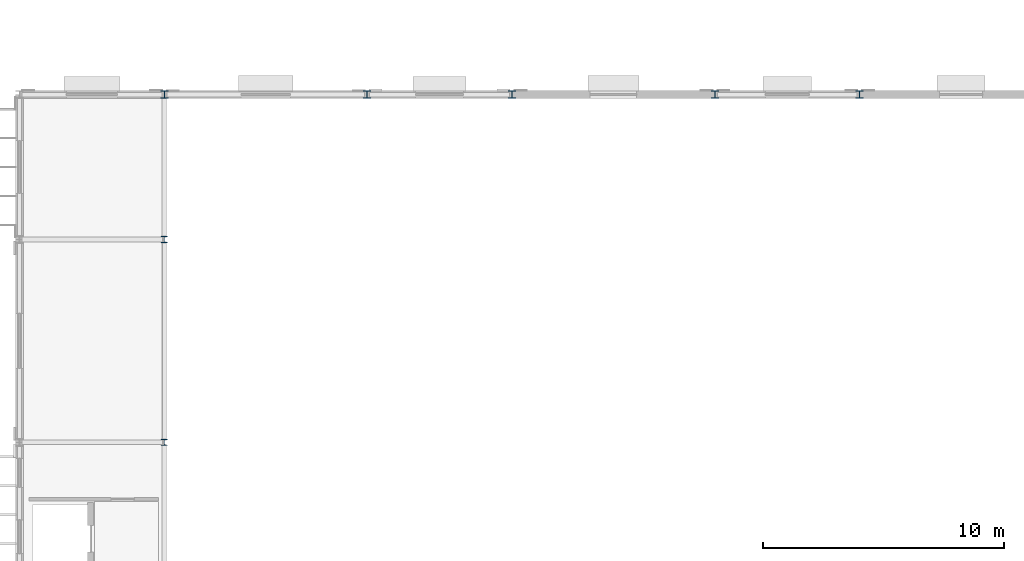
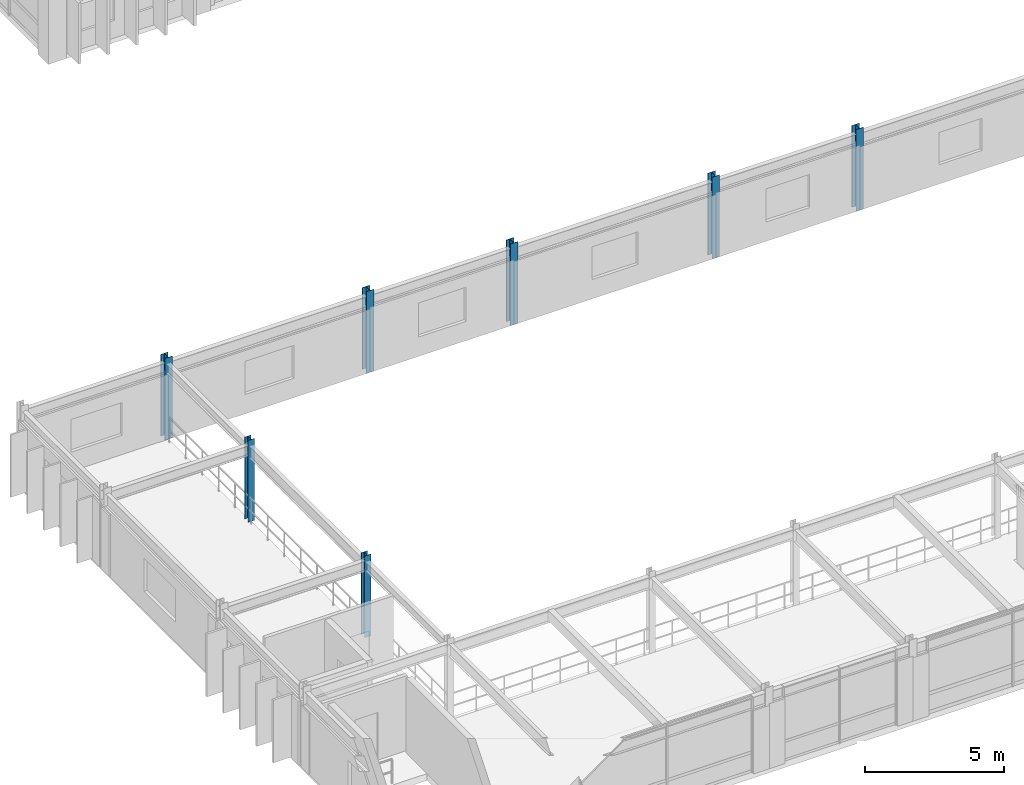
# One storey, part 9 of 88: 7 columns.
"""IFC4 building model written with IfcOpenShell, lengths in metres."""

from ifc_helpers import new_model, si_unit, direction, frame, origin, origin_2d, place, context, subcontext, project, spatial, i_section, extrude, material, material_profile, profile_set, type_object, element, save


model = new_model("IFC4")

# Units and contexts
model_context = context("Model", 3, precision=1e-05, world=origin(), true_north=direction((0.0, 1.0)))
body_context = subcontext(model_context, "Body", "Model", "MODEL_VIEW")
ifc_project = project(units=[si_unit("LENGTHUNIT", "METRE"), si_unit("AREAUNIT", "SQUARE_METRE"), si_unit("VOLUMEUNIT", "CUBIC_METRE"), si_unit("PLANEANGLEUNIT", "RADIAN"), si_unit("MASSUNIT", "GRAM", prefix="KILO"), si_unit("THERMODYNAMICTEMPERATUREUNIT", "KELVIN")], contexts=[model_context])

# Site, building, storey
site_placement = place(None, origin())
site = spatial("IfcSite", under=ifc_project, at=site_placement, CompositionType="ELEMENT")
building_placement = place(site_placement, origin())
building = spatial("IfcBuilding", under=site, at=building_placement, Name="Thalorik Housing Commons", CompositionType="ELEMENT")
storey_placement = place(building_placement, frame((0.0, 0.0, 4.5)))
storey = spatial("IfcBuildingStorey", under=building, at=storey_placement, Name="L01", CompositionType="ELEMENT", Elevation=4.5)

# Columns
ifc_material = material(Name="Steel S355", Category="steel")
ifc_material_profile_1 = material_profile(ifc_material, i_section(OverallWidth=0.260009765625, OverallDepth=0.25390625, WebThickness=0.014404296875, FlangeThickness=0.014404296875, FilletRadius=0.010009765625, at=origin_2d()), Name="HP250x85", Category="steel")
ifc_profile_set_1 = profile_set([ifc_material_profile_1], Name="Steel S355")
column_type_1 = type_object("IfcColumnType", Name="STR-COL-HP250", PredefinedType="COLUMN", material=ifc_profile_set_1)
for number, where, z_axis, x_axis, name in (
    (1, (72.0, 72.0, 0.0), (0.0, 0.0, 1.0), (1.0, 0.0, 0.0), "L01 Column SC-250"),
    (2, (72.0, 80.39990234375, 0.0), (0.0, 0.0, 1.0), (1.0, 0.0, 0.0), "L01 Column SC-250"),
):
    element("IfcColumn", number, at=place(storey_placement, frame(where, z_axis=z_axis, x_axis=x_axis)), inside=storey, type_object=column_type_1, Name=name, PredefinedType="COLUMN", context=body_context, shape_type="SweptSolid", body=[
        extrude(i_section(OverallWidth=0.260009765625, OverallDepth=0.25390625, WebThickness=0.014404296875, FlangeThickness=0.014404296875, FilletRadius=0.010009765625, at=origin_2d()), origin(), (0.0, 0.0, 1.0), 3.60009765625),
    ])
ifc_material_profile_2 = material_profile(ifc_material, i_section(OverallWidth=0.31005859375, OverallDepth=0.30810546875, WebThickness=0.015380859375, FlangeThickness=0.015380859375, FilletRadius=0.011962890625, at=origin_2d()), Name="HP310x110", Category="steel")
ifc_profile_set_2 = profile_set([ifc_material_profile_2], Name="Steel S355")
column_type_2 = type_object("IfcColumnType", Name="STR-COL-HP310", PredefinedType="COLUMN", material=ifc_profile_set_2)
for number, where, z_axis, x_axis, name in (
    (3, (72.0, 86.39990234375, 0.0), (0.0, 0.0, 1.0), (1.0, 0.0, 0.0), "L01 Column SC-310"),
    (4, (80.39990234375, 86.39990234375, 0.0), (0.0, 0.0, 1.0), (1.0, 0.0, 0.0), "L01 Column SC-310"),
    (5, (86.39990234375, 86.39990234375, 0.0), (0.0, 0.0, 1.0), (1.0, 0.0, 0.0), "L01 Column SC-310"),
    (6, (94.800048828125, 86.39990234375, 0.0), (0.0, 0.0, 1.0), (1.0, 0.0, 0.0), "L01 Column SC-310"),
    (7, (100.800048828125, 86.39990234375, 0.0), (0.0, 0.0, 1.0), (1.0, 0.0, 0.0), "L01 Column SC-310"),
):
    element("IfcColumn", number, at=place(storey_placement, frame(where, z_axis=z_axis, x_axis=x_axis)), inside=storey, type_object=column_type_2, Name=name, PredefinedType="COLUMN", context=body_context, shape_type="SweptSolid", body=[
        extrude(i_section(OverallWidth=0.31005859375, OverallDepth=0.30810546875, WebThickness=0.015380859375, FlangeThickness=0.015380859375, FilletRadius=0.011962890625, at=origin_2d()), origin(), (0.0, 0.0, 1.0), 3.60009765625),
    ])

save(model, "model.ifc")
